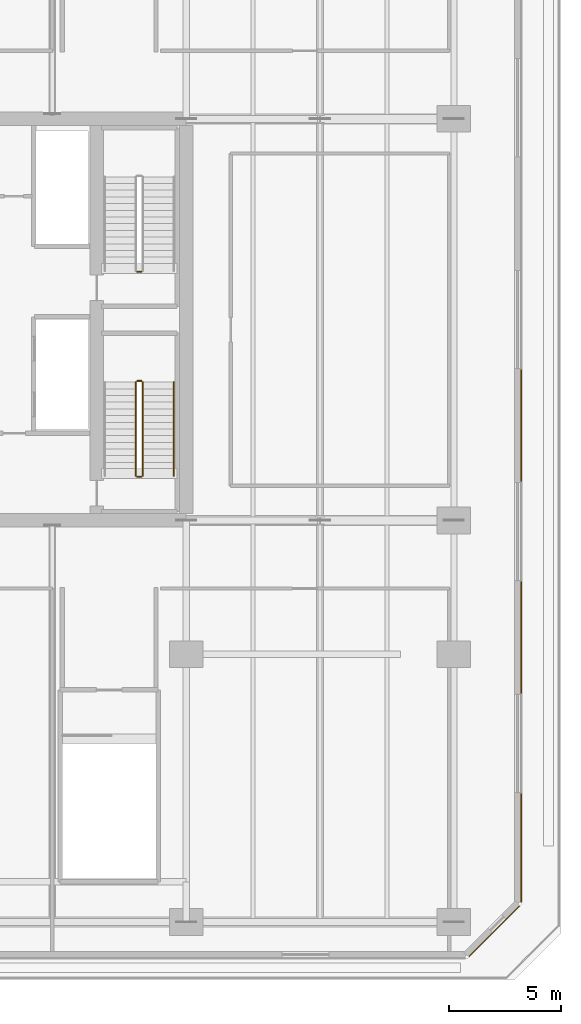
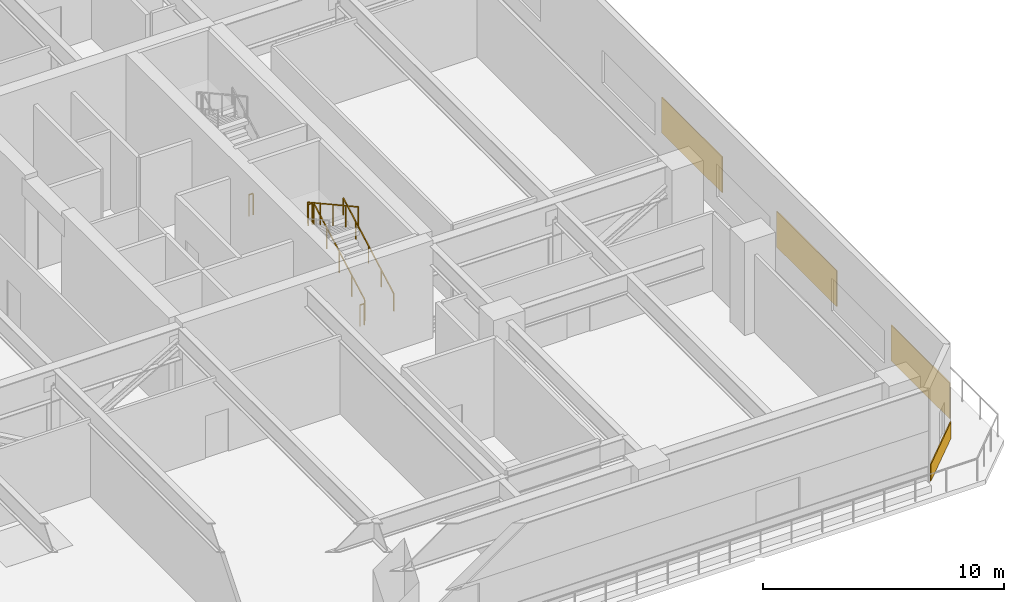
# One storey, part 22 of 25: 6 railings, 4 coverings.
"""IFC4 building model written with IfcOpenShell, lengths in metres."""

from ifc_helpers import new_model, si_unit, direction, frame, origin, origin_2d, place, context, subcontext, project, spatial, rectangle, extrude, material, layer, layer_set, type_object, element, save


model = new_model("IFC4")

# Units and contexts
model_context = context("Model", 3, precision=1e-05, world=origin(), true_north=direction((0.0, 1.0)))
body_context = subcontext(model_context, "Body", "Model", "MODEL_VIEW")
ifc_project = project(units=[si_unit("LENGTHUNIT", "METRE"), si_unit("AREAUNIT", "SQUARE_METRE"), si_unit("VOLUMEUNIT", "CUBIC_METRE"), si_unit("PLANEANGLEUNIT", "RADIAN"), si_unit("MASSUNIT", "GRAM", prefix="KILO")], contexts=[model_context])

# Site, building, storey
site_placement = place(None, origin())
site = spatial("IfcSite", under=ifc_project, at=site_placement, CompositionType="ELEMENT")
building_placement = place(site_placement, origin())
building = spatial("IfcBuilding", under=site, at=building_placement, Name="Tanjung Sevakor Pilgrim Tower", CompositionType="ELEMENT")
storey_placement = place(building_placement, frame((0.0, 0.0, 24.090087890625)))
storey = spatial("IfcBuildingStorey", under=building, at=storey_placement, Name="L06", CompositionType="ELEMENT", Elevation=24.090087890625)

# Coverings
ifc_material_1 = material(Name="Reconstructed Limestone Cladding", Category="masonry")
ifc_layer = layer(ifc_material_1, 0.044921875)
ifc_layer_set = layer_set([ifc_layer], Name="COV-CLAD-LIMESTONE")
covering_type = type_object("IfcCoveringType", Name="COV-CLAD-LIMESTONE", PredefinedType="CLADDING", material=ifc_layer_set)
covering_1_placement = place(storey_placement, frame((103.81591796875, 6.18408203125, 0.009765625), z_axis=(0.0, 0.0, 1.0), x_axis=(0.707106781187, 0.707106781187, 0.0)))
element("IfcCovering", 1, at=covering_1_placement, inside=storey, type_object=covering_type, Name="L06 Warm Limestone Sill Spandrel EW-L06-MAIN-2-1", PredefinedType="CLADDING", context=body_context, shape_type="SweptSolid", body=[
    extrude(rectangle(XDim=3.197998046875, YDim=0.044921875, at=origin_2d()), origin(), (0.0, 0.0, 1.0), 0.840087890625),
])
covering_2_placement = place(storey_placement, frame((105.0224609375, 9.924072265625, 0.849853515625), z_axis=(0.0, 0.0, 1.0), x_axis=(0.0, 1.0, 0.0)))
element("IfcCovering", 2, at=covering_2_placement, inside=storey, type_object=covering_type, Name="L06 Warm Limestone Pier Panel EW-L06-MAIN-3-1", PredefinedType="CLADDING", context=body_context, shape_type="SweptSolid", body=[
    extrude(rectangle(XDim=4.85205078125, YDim=0.044921875, at=origin_2d()), origin(), (0.0, 0.0, 1.0), 1.81005859375),
])
for number, where, z_axis, x_axis, name in (
    (3, (105.0224609375, 19.35009765625, 0.849853515625), (0.0, 0.0, 1.0), (0.0, 1.0, 0.0), "L06 Warm Limestone Pier Panel EW-L06-MAIN-3-2"),
    (4, (105.0224609375, 28.85009765625, 0.849853515625), (0.0, 0.0, 1.0), (0.0, 1.0, 0.0), "L06 Warm Limestone Pier Panel EW-L06-MAIN-3-3"),
):
    element("IfcCovering", number, at=place(storey_placement, frame(where, z_axis=z_axis, x_axis=x_axis)), inside=storey, type_object=covering_type, Name=name, PredefinedType="CLADDING", context=body_context, shape_type="SweptSolid", body=[
        extrude(rectangle(XDim=5.0, YDim=0.044921875, at=origin_2d()), origin(), (0.0, 0.0, 1.0), 1.81005859375),
    ])

# Railings
ifc_material_2 = material(Name="Steel S355J2", Category="steel")
railing_type_1 = type_object("IfcRailingType", Name="RL-STAIR-GUARD", PredefinedType="GUARDRAIL", material=ifc_material_2)
railing_1_placement = place(storey_placement, frame((88.050048828125, 26.60009765625, 0.164794921875)))
element("IfcRailing", 5, at=railing_1_placement, inside=storey, type_object=railing_type_1, Name="L06 TS-E1 stair guard 1", PredefinedType="GUARDRAIL", context=body_context, shape_type="SweptSolid", body=[
    extrude(rectangle(XDim=0.0479, YDim=0.0479), frame((0.0, 0.0, 1.076171875), z_axis=(0.0, 0.876208380975, 0.481932436249), x_axis=(-1.0, 0.0, 0.0)), (0.0, 0.0, 1.0), 4.793212890625),
    extrude(rectangle(XDim=0.042, YDim=0.042), origin(), (0.0, 0.0, 1.0), 1.052001953125),
    extrude(rectangle(XDim=0.042, YDim=0.042), frame((0.0, 1.050048828125, 0.57763671875)), (0.0, 0.0, 1.0), 1.052001953125),
    extrude(rectangle(XDim=0.042, YDim=0.042), frame((0.0, 2.10009765625, 1.155029296875)), (0.0, 0.0, 1.0), 1.052001953125),
    extrude(rectangle(XDim=0.042, YDim=0.042), frame((0.0, 3.14990234375, 1.732421875)), (0.0, 0.0, 1.0), 1.052001953125),
    extrude(rectangle(XDim=0.042, YDim=0.042), frame((0.0, 4.199951171875, 2.31005859375)), (0.0, 0.0, 1.0), 1.052001953125),
])
railing_2_placement = place(storey_placement, frame((88.0, 30.85009765625, 2.474853515625)))
element("IfcRailing", 6, at=railing_2_placement, inside=storey, type_object=railing_type_1, Name="L06 TS-E1 stair guard 2", PredefinedType="GUARDRAIL", context=body_context, shape_type="SweptSolid", body=[
    extrude(rectangle(XDim=0.0479, YDim=0.0479), frame((0.0, 0.0, 1.076171875), z_axis=(-1.0, 0.0, 0.0), x_axis=(0.0, -1.0, 0.0)), (0.0, 0.0, 1.0), 0.199951171875),
    extrude(rectangle(XDim=0.042, YDim=0.042), origin(), (0.0, 0.0, 1.0), 1.052001953125),
    extrude(rectangle(XDim=0.042, YDim=0.042), frame((-0.199951171875, 0.0, 0.0)), (0.0, 0.0, 1.0), 1.052001953125),
])
railing_3_placement = place(storey_placement, frame((87.75, 30.800048828125, 2.639892578125)))
element("IfcRailing", 7, at=railing_3_placement, inside=storey, type_object=railing_type_1, Name="L06 TS-E1 stair guard 3", PredefinedType="GUARDRAIL", context=body_context, shape_type="SweptSolid", body=[
    extrude(rectangle(XDim=0.0479, YDim=0.0479), frame((0.0, 0.0, 1.076171875), z_axis=(0.0, -0.876208380975, 0.481932436249), x_axis=(1.0, 0.0, 0.0)), (0.0, 0.0, 1.0), 4.793212890625),
    extrude(rectangle(XDim=0.042, YDim=0.042), origin(), (0.0, 0.0, 1.0), 1.052001953125),
    extrude(rectangle(XDim=0.042, YDim=0.042), frame((0.0, -1.050048828125, 0.57763671875)), (0.0, 0.0, 1.0), 1.052001953125),
    extrude(rectangle(XDim=0.042, YDim=0.042), frame((0.0, -2.10009765625, 1.155029296875)), (0.0, 0.0, 1.0), 1.052001953125),
    extrude(rectangle(XDim=0.042, YDim=0.042), frame((0.0, -3.14990234375, 1.732421875)), (0.0, 0.0, 1.0), 1.052001953125),
    extrude(rectangle(XDim=0.042, YDim=0.042), frame((0.0, -4.199951171875, 2.31005859375)), (0.0, 0.0, 1.0), 1.052001953125),
])
for number, where, name in (
    (8, (88.0, 26.550048828125, 0.0), "L06 TS-E1 stair guard 4"),
    (9, (88.0, 35.75, 0.0), "L06 TS-E2 stair guard 4"),
):
    element("IfcRailing", number, at=place(storey_placement, frame(where)), inside=storey, type_object=railing_type_1, Name=name, PredefinedType="GUARDRAIL", context=body_context, shape_type="SweptSolid", body=[
        extrude(rectangle(XDim=0.0479, YDim=0.0479), frame((0.0, 0.0, 1.076171875), z_axis=(-1.0, 0.0, 0.0), x_axis=(0.0, -1.0, 0.0)), (0.0, 0.0, 1.0), 0.199951171875),
        extrude(rectangle(XDim=0.042, YDim=0.042), origin(), (0.0, 0.0, 1.0), 1.052001953125),
        extrude(rectangle(XDim=0.042, YDim=0.042), frame((-0.199951171875, 0.0, 0.0)), (0.0, 0.0, 1.0), 1.052001953125),
    ])
ifc_material_3 = material(Name="Steel S355J2", Category="steel")
railing_type_2 = type_object("IfcRailingType", Name="RL-STAIR-HAND", PredefinedType="HANDRAIL", material=ifc_material_3)
railing_4_placement = place(storey_placement, frame((89.449951171875, 26.60009765625, 0.164794921875)))
element("IfcRailing", 10, at=railing_4_placement, inside=storey, type_object=railing_type_2, Name="L06 TS-E1 stair handrail 1", PredefinedType="HANDRAIL", context=body_context, shape_type="SweptSolid", body=[
    extrude(rectangle(XDim=0.0479, YDim=0.0479), frame((0.0, 0.0, 0.8759765625), z_axis=(0.0, 0.876208380975, 0.481932436249), x_axis=(-1.0, 0.0, 0.0)), (0.0, 0.0, 1.0), 4.793212890625),
    extrude(rectangle(XDim=0.042, YDim=0.042), origin(), (0.0, 0.0, 1.0), 0.851806640625),
    extrude(rectangle(XDim=0.042, YDim=0.042), frame((0.0, 1.050048828125, 0.57763671875)), (0.0, 0.0, 1.0), 0.851806640625),
    extrude(rectangle(XDim=0.042, YDim=0.042), frame((0.0, 2.10009765625, 1.155029296875)), (0.0, 0.0, 1.0), 0.851806640625),
    extrude(rectangle(XDim=0.042, YDim=0.042), frame((0.0, 3.14990234375, 1.732421875)), (0.0, 0.0, 1.0), 0.851806640625),
    extrude(rectangle(XDim=0.042, YDim=0.042), frame((0.0, 4.199951171875, 2.31005859375)), (0.0, 0.0, 1.0), 0.851806640625),
])

save(model, "model.ifc")
